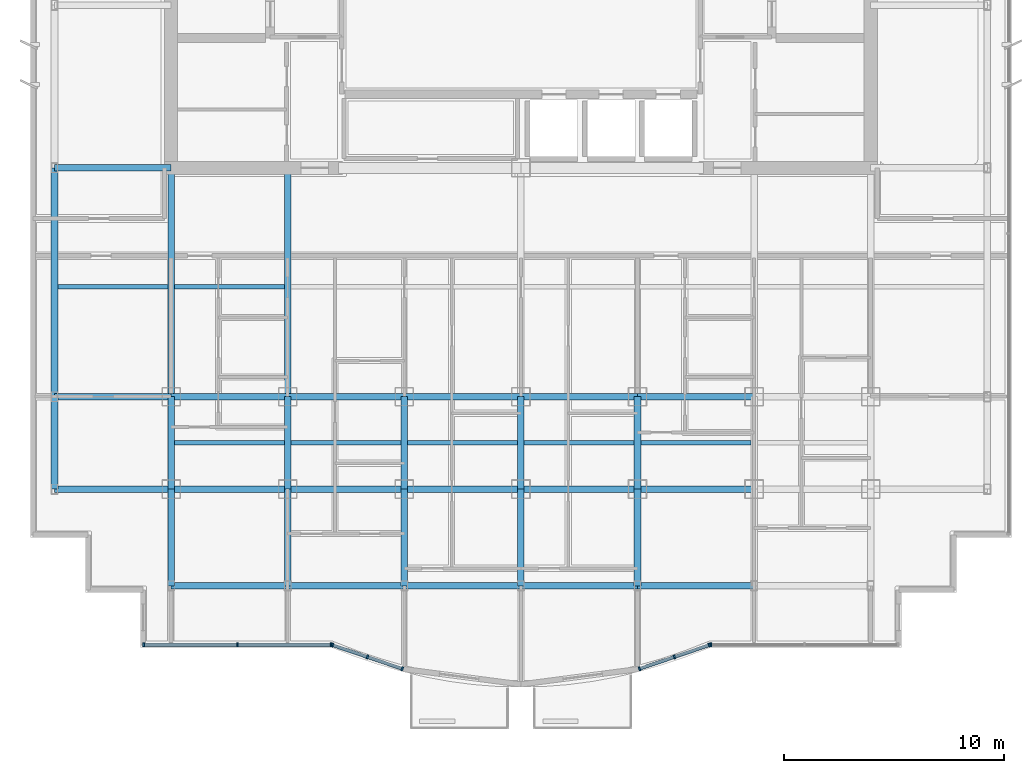
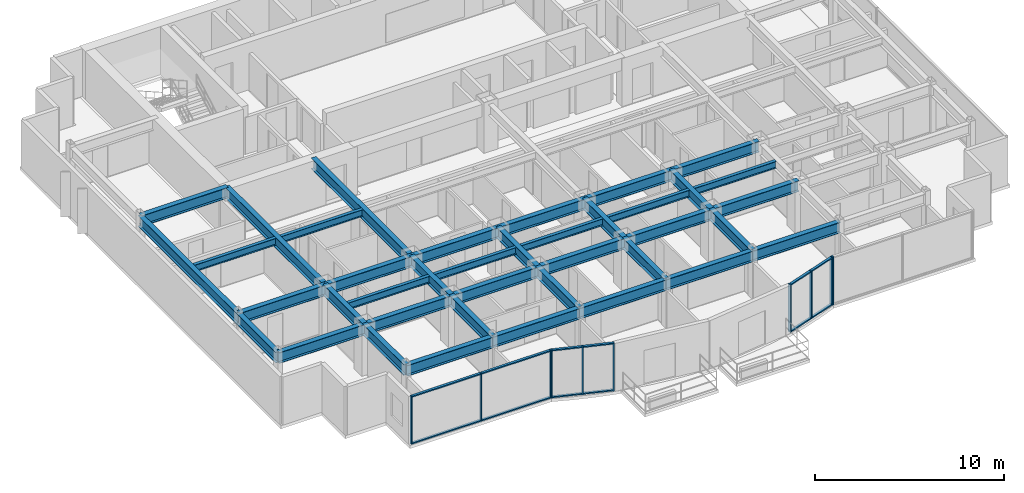
# One storey, part 2 of 13: 39 beams, 22 members, 4 elements without a shape of their own.
"""IFC4 building model written with IfcOpenShell, lengths in metres."""

from ifc_helpers import new_model, si_unit, direction, frame, origin, origin_2d, place, context, subcontext, project, spatial, rectangle, i_section, extrude, source, transform, mapped, material, layer, layer_set, material_profile, profile_set, type_object, element, aggregate, save


model = new_model("IFC4")

# Units and contexts
model_context = context("Model", 3, precision=1e-05, world=origin(), true_north=direction((0.0, 1.0)))
body_context = subcontext(model_context, "Body", "Model", "MODEL_VIEW")
ifc_project = project(units=[si_unit("LENGTHUNIT", "METRE"), si_unit("AREAUNIT", "SQUARE_METRE"), si_unit("VOLUMEUNIT", "CUBIC_METRE"), si_unit("PLANEANGLEUNIT", "RADIAN"), si_unit("MASSUNIT", "GRAM", prefix="KILO")], contexts=[model_context])

# Site, building, storey
site_placement = place(None, origin())
site = spatial("IfcSite", under=ifc_project, at=site_placement, CompositionType="ELEMENT")
building_placement = place(site_placement, origin())
building = spatial("IfcBuilding", under=site, at=building_placement, Name="Qianlan Lanfeng Residences", CompositionType="ELEMENT")
storey_placement = place(building_placement, frame((0.0, 0.0, 178.800048828125)))
storey = spatial("IfcBuildingStorey", under=building, at=storey_placement, Name="L49", CompositionType="ELEMENT", Elevation=178.800048828125)

# Beams
ifc_material_1 = material(Name="Steel SN490B", Category="steel")
ifc_material_profile_1 = material_profile(ifc_material_1, i_section(OverallWidth=0.300048828125, OverallDepth=0.699951171875, WebThickness=0.012939453125, FlangeThickness=0.02392578125, at=origin_2d()), Name="H 700x300x13x24")
ifc_profile_set_1 = profile_set([ifc_material_profile_1], Name="Steel SN490B")
beam_type_1 = type_object("IfcBeamType", Name="G-750", PredefinedType="BEAM", material=ifc_profile_set_1)
beam_1_placement = place(storey_placement, frame((5.300048828125, 10.60009765625, 2.75), z_axis=(1.0, 0.0, 0.0), x_axis=(0.0, 1.0, 0.0)))
element("IfcBeam", 1, at=beam_1_placement, inside=storey, type_object=beam_type_1, Name="Structural beam G-750", PredefinedType="BEAM", context=body_context, shape_type="SweptSolid", body=[
    extrude(i_section(OverallWidth=0.300048828125, OverallDepth=0.699951171875, WebThickness=0.012939453125, FlangeThickness=0.02392578125, at=origin_2d()), origin(), (0.0, 0.0, 1.0), 5.300048828125),
])
beam_2_placement = place(storey_placement, frame((10.60009765625, 10.60009765625, 2.75), z_axis=(1.0, 0.0, 0.0), x_axis=(0.0, 1.0, 0.0)))
element("IfcBeam", 2, at=beam_2_placement, inside=storey, type_object=beam_type_1, Name="Structural beam G-750", PredefinedType="BEAM", context=body_context, shape_type="SweptSolid", body=[
    extrude(i_section(OverallWidth=0.300048828125, OverallDepth=0.699951171875, WebThickness=0.012939453125, FlangeThickness=0.02392578125, at=origin_2d()), origin(), (0.0, 0.0, 1.0), 5.2998046875),
])
for number, where, z_axis, x_axis, name in (
    (3, (15.89990234375, 10.60009765625, 2.75), (1.0, 0.0, 0.0), (0.0, 1.0, 0.0), "Structural beam G-750"),
    (4, (21.199951171875, 10.60009765625, 2.75), (1.0, 0.0, 0.0), (0.0, 1.0, 0.0), "Structural beam G-750"),
    (5, (26.5, 10.60009765625, 2.75), (1.0, 0.0, 0.0), (0.0, 1.0, 0.0), "Structural beam G-750"),
    (6, (31.800048828125, 10.60009765625, 2.75), (1.0, 0.0, 0.0), (0.0, 1.0, 0.0), "Structural beam G-750"),
    (7, (5.300048828125, 14.800048828125, 2.75), (1.0, 0.0, 0.0), (0.0, 1.0, 0.0), "Structural beam G-750"),
):
    element("IfcBeam", number, at=place(storey_placement, frame(where, z_axis=z_axis, x_axis=x_axis)), inside=storey, type_object=beam_type_1, Name=name, PredefinedType="BEAM", context=body_context, shape_type="SweptSolid", body=[
        extrude(i_section(OverallWidth=0.300048828125, OverallDepth=0.699951171875, WebThickness=0.012939453125, FlangeThickness=0.02392578125, at=origin_2d()), origin(), (0.0, 0.0, 1.0), 5.300048828125),
    ])
beam_3_placement = place(storey_placement, frame((10.60009765625, 14.800048828125, 2.75), z_axis=(1.0, 0.0, 0.0), x_axis=(0.0, 1.0, 0.0)))
element("IfcBeam", 8, at=beam_3_placement, inside=storey, type_object=beam_type_1, Name="Structural beam G-750", PredefinedType="BEAM", context=body_context, shape_type="SweptSolid", body=[
    extrude(i_section(OverallWidth=0.300048828125, OverallDepth=0.699951171875, WebThickness=0.012939453125, FlangeThickness=0.02392578125, at=origin_2d()), origin(), (0.0, 0.0, 1.0), 5.2998046875),
])
for number, where, z_axis, x_axis, name in (
    (9, (15.89990234375, 14.800048828125, 2.75), (1.0, 0.0, 0.0), (0.0, 1.0, 0.0), "Structural beam G-750"),
    (10, (21.199951171875, 14.800048828125, 2.75), (1.0, 0.0, 0.0), (0.0, 1.0, 0.0), "Structural beam G-750"),
    (11, (26.5, 14.800048828125, 2.75), (1.0, 0.0, 0.0), (0.0, 1.0, 0.0), "Structural beam G-750"),
    (12, (31.800048828125, 14.800048828125, 2.75), (1.0, 0.0, 0.0), (0.0, 1.0, 0.0), "Structural beam G-750"),
    (13, (5.300048828125, 25.199951171875, 2.75), (1.0, 0.0, 0.0), (0.0, 1.0, 0.0), "Structural beam G-750"),
):
    element("IfcBeam", number, at=place(storey_placement, frame(where, z_axis=z_axis, x_axis=x_axis)), inside=storey, type_object=beam_type_1, Name=name, PredefinedType="BEAM", context=body_context, shape_type="SweptSolid", body=[
        extrude(i_section(OverallWidth=0.300048828125, OverallDepth=0.699951171875, WebThickness=0.012939453125, FlangeThickness=0.02392578125, at=origin_2d()), origin(), (0.0, 0.0, 1.0), 5.300048828125),
    ])
beam_4_placement = place(storey_placement, frame((10.60009765625, 6.199951171875, 2.75), z_axis=(0.0, 1.0, 0.0), x_axis=(-1.0, 0.0, 0.0)))
element("IfcBeam", 14, at=beam_4_placement, inside=storey, type_object=beam_type_1, Name="Structural beam G-750", PredefinedType="BEAM", context=body_context, shape_type="SweptSolid", body=[
    extrude(i_section(OverallWidth=0.300048828125, OverallDepth=0.699951171875, WebThickness=0.012939453125, FlangeThickness=0.02392578125, at=origin_2d()), origin(), (0.0, 0.0, 1.0), 4.400146484375),
])
beam_5_placement = place(storey_placement, frame((10.60009765625, 10.60009765625, 2.75), z_axis=(0.0, 1.0, 0.0), x_axis=(-1.0, 0.0, 0.0)))
element("IfcBeam", 15, at=beam_5_placement, inside=storey, type_object=beam_type_1, Name="Structural beam G-750", PredefinedType="BEAM", context=body_context, shape_type="SweptSolid", body=[
    extrude(i_section(OverallWidth=0.300048828125, OverallDepth=0.699951171875, WebThickness=0.012939453125, FlangeThickness=0.02392578125, at=origin_2d()), origin(), (0.0, 0.0, 1.0), 4.199951171875),
])
beam_6_placement = place(storey_placement, frame((10.60009765625, 14.800048828125, 2.75), z_axis=(0.0, 1.0, 0.0), x_axis=(-1.0, 0.0, 0.0)))
element("IfcBeam", 16, at=beam_6_placement, inside=storey, type_object=beam_type_1, Name="Structural beam G-750", PredefinedType="BEAM", context=body_context, shape_type="SweptSolid", body=[
    extrude(i_section(OverallWidth=0.300048828125, OverallDepth=0.699951171875, WebThickness=0.012939453125, FlangeThickness=0.02392578125, at=origin_2d()), origin(), (0.0, 0.0, 1.0), 10.39990234375),
])
beam_7_placement = place(storey_placement, frame((15.89990234375, 6.199951171875, 2.75), z_axis=(0.0, 1.0, 0.0), x_axis=(-1.0, 0.0, 0.0)))
element("IfcBeam", 17, at=beam_7_placement, inside=storey, type_object=beam_type_1, Name="Structural beam G-750", PredefinedType="BEAM", context=body_context, shape_type="SweptSolid", body=[
    extrude(i_section(OverallWidth=0.300048828125, OverallDepth=0.699951171875, WebThickness=0.012939453125, FlangeThickness=0.02392578125, at=origin_2d()), origin(), (0.0, 0.0, 1.0), 4.400146484375),
])
beam_8_placement = place(storey_placement, frame((15.89990234375, 10.60009765625, 2.75), z_axis=(0.0, 1.0, 0.0), x_axis=(-1.0, 0.0, 0.0)))
element("IfcBeam", 18, at=beam_8_placement, inside=storey, type_object=beam_type_1, Name="Structural beam G-750", PredefinedType="BEAM", context=body_context, shape_type="SweptSolid", body=[
    extrude(i_section(OverallWidth=0.300048828125, OverallDepth=0.699951171875, WebThickness=0.012939453125, FlangeThickness=0.02392578125, at=origin_2d()), origin(), (0.0, 0.0, 1.0), 4.199951171875),
])
beam_9_placement = place(storey_placement, frame((15.89990234375, 14.800048828125, 2.75), z_axis=(0.0, 1.0, 0.0), x_axis=(-1.0, 0.0, 0.0)))
element("IfcBeam", 19, at=beam_9_placement, inside=storey, type_object=beam_type_1, Name="Structural beam G-750", PredefinedType="BEAM", context=body_context, shape_type="SweptSolid", body=[
    extrude(i_section(OverallWidth=0.300048828125, OverallDepth=0.699951171875, WebThickness=0.012939453125, FlangeThickness=0.02392578125, at=origin_2d()), origin(), (0.0, 0.0, 1.0), 10.39990234375),
])
beam_10_placement = place(storey_placement, frame((21.199951171875, 6.199951171875, 2.75), z_axis=(0.0, 1.0, 0.0), x_axis=(-1.0, 0.0, 0.0)))
element("IfcBeam", 20, at=beam_10_placement, inside=storey, type_object=beam_type_1, Name="Structural beam G-750", PredefinedType="BEAM", context=body_context, shape_type="SweptSolid", body=[
    extrude(i_section(OverallWidth=0.300048828125, OverallDepth=0.699951171875, WebThickness=0.012939453125, FlangeThickness=0.02392578125, at=origin_2d()), origin(), (0.0, 0.0, 1.0), 4.400146484375),
])
beam_11_placement = place(storey_placement, frame((21.199951171875, 10.60009765625, 2.75), z_axis=(0.0, 1.0, 0.0), x_axis=(-1.0, 0.0, 0.0)))
element("IfcBeam", 21, at=beam_11_placement, inside=storey, type_object=beam_type_1, Name="Structural beam G-750", PredefinedType="BEAM", context=body_context, shape_type="SweptSolid", body=[
    extrude(i_section(OverallWidth=0.300048828125, OverallDepth=0.699951171875, WebThickness=0.012939453125, FlangeThickness=0.02392578125, at=origin_2d()), origin(), (0.0, 0.0, 1.0), 4.199951171875),
])
beam_12_placement = place(storey_placement, frame((26.5, 6.199951171875, 2.75), z_axis=(0.0, 1.0, 0.0), x_axis=(-1.0, 0.0, 0.0)))
element("IfcBeam", 22, at=beam_12_placement, inside=storey, type_object=beam_type_1, Name="Structural beam G-750", PredefinedType="BEAM", context=body_context, shape_type="SweptSolid", body=[
    extrude(i_section(OverallWidth=0.300048828125, OverallDepth=0.699951171875, WebThickness=0.012939453125, FlangeThickness=0.02392578125, at=origin_2d()), origin(), (0.0, 0.0, 1.0), 4.400146484375),
])
beam_13_placement = place(storey_placement, frame((26.5, 10.60009765625, 2.75), z_axis=(0.0, 1.0, 0.0), x_axis=(-1.0, 0.0, 0.0)))
element("IfcBeam", 23, at=beam_13_placement, inside=storey, type_object=beam_type_1, Name="Structural beam G-750", PredefinedType="BEAM", context=body_context, shape_type="SweptSolid", body=[
    extrude(i_section(OverallWidth=0.300048828125, OverallDepth=0.699951171875, WebThickness=0.012939453125, FlangeThickness=0.02392578125, at=origin_2d()), origin(), (0.0, 0.0, 1.0), 4.199951171875),
])
beam_14_placement = place(storey_placement, frame((31.800048828125, 6.199951171875, 2.75), z_axis=(0.0, 1.0, 0.0), x_axis=(-1.0, 0.0, 0.0)))
element("IfcBeam", 24, at=beam_14_placement, inside=storey, type_object=beam_type_1, Name="Structural beam G-750", PredefinedType="BEAM", context=body_context, shape_type="SweptSolid", body=[
    extrude(i_section(OverallWidth=0.300048828125, OverallDepth=0.699951171875, WebThickness=0.012939453125, FlangeThickness=0.02392578125, at=origin_2d()), origin(), (0.0, 0.0, 1.0), 4.400146484375),
])
beam_15_placement = place(storey_placement, frame((31.800048828125, 10.60009765625, 2.75), z_axis=(0.0, 1.0, 0.0), x_axis=(-1.0, 0.0, 0.0)))
element("IfcBeam", 25, at=beam_15_placement, inside=storey, type_object=beam_type_1, Name="Structural beam G-750", PredefinedType="BEAM", context=body_context, shape_type="SweptSolid", body=[
    extrude(i_section(OverallWidth=0.300048828125, OverallDepth=0.699951171875, WebThickness=0.012939453125, FlangeThickness=0.02392578125, at=origin_2d()), origin(), (0.0, 0.0, 1.0), 4.199951171875),
])
ifc_material_profile_2 = material_profile(ifc_material_1, i_section(OverallWidth=0.199951171875, OverallDepth=0.449951171875, WebThickness=0.009033203125, FlangeThickness=0.013916015625, at=origin_2d()), Name="H 450x200x9x14")
ifc_profile_set_2 = profile_set([ifc_material_profile_2], Name="Steel SN490B")
beam_type_2 = type_object("IfcBeamType", Name="J-450", PredefinedType="JOIST", material=ifc_profile_set_2)
for number, where, z_axis, x_axis, name in (
    (26, (10.75, 12.699951171875, 2.875), (1.0, 0.0, 0.0), (0.0, 1.0, 0.0), "Structural beam J-450"),
    (27, (16.050048828125, 12.699951171875, 2.875), (1.0, 0.0, 0.0), (0.0, 1.0, 0.0), "Structural beam J-450"),
    (28, (21.35009765625, 12.699951171875, 2.875), (1.0, 0.0, 0.0), (0.0, 1.0, 0.0), "Structural beam J-450"),
    (29, (26.64990234375, 12.699951171875, 2.875), (1.0, 0.0, 0.0), (0.0, 1.0, 0.0), "Structural beam J-450"),
    (30, (31.949951171875, 12.699951171875, 2.875), (1.0, 0.0, 0.0), (0.0, 1.0, 0.0), "Structural beam J-450"),
    (31, (5.449951171875, 19.800048828125, 2.875), (1.0, 0.0, 0.0), (0.0, 1.0, 0.0), "Structural beam J-450"),
    (32, (10.75, 19.800048828125, 2.875), (1.0, 0.0, 0.0), (0.0, 1.0, 0.0), "Structural beam J-450"),
):
    element("IfcBeam", number, at=place(storey_placement, frame(where, z_axis=z_axis, x_axis=x_axis)), inside=storey, type_object=beam_type_2, Name=name, PredefinedType="JOIST", context=body_context, shape_type="SweptSolid", body=[
        extrude(i_section(OverallWidth=0.199951171875, OverallDepth=0.449951171875, WebThickness=0.009033203125, FlangeThickness=0.013916015625, at=origin_2d()), origin(), (0.0, 0.0, 1.0), 5.0),
    ])
ifc_material_profile_3 = material_profile(ifc_material_1, i_section(OverallWidth=0.300048828125, OverallDepth=0.699951171875, WebThickness=0.012939453125, FlangeThickness=0.02392578125, at=origin_2d()), Name="H 700x300x13x24")
ifc_profile_set_3 = profile_set([ifc_material_profile_3], Name="Steel SN490B")
beam_type_3 = type_object("IfcBeamType", Name="SG-750", PredefinedType="SPANDREL", material=ifc_profile_set_3)
beam_16_placement = place(storey_placement, frame((10.60009765625, 6.199951171875, 2.739990234375), z_axis=(1.0, 0.0, 0.0), x_axis=(0.0, 1.0, 0.0)))
element("IfcBeam", 33, at=beam_16_placement, inside=storey, type_object=beam_type_3, Name="Structural beam SG-750", PredefinedType="SPANDREL", context=body_context, shape_type="SweptSolid", body=[
    extrude(i_section(OverallWidth=0.300048828125, OverallDepth=0.699951171875, WebThickness=0.012939453125, FlangeThickness=0.02392578125, at=origin_2d()), origin(), (0.0, 0.0, 1.0), 5.2998046875),
])
for number, where, z_axis, x_axis, name in (
    (34, (15.89990234375, 6.199951171875, 2.739990234375), (1.0, 0.0, 0.0), (0.0, 1.0, 0.0), "Structural beam SG-750"),
    (35, (21.199951171875, 6.199951171875, 2.739990234375), (1.0, 0.0, 0.0), (0.0, 1.0, 0.0), "Structural beam SG-750"),
    (36, (26.5, 6.199951171875, 2.739990234375), (1.0, 0.0, 0.0), (0.0, 1.0, 0.0), "Structural beam SG-750"),
    (37, (31.800048828125, 6.199951171875, 2.739990234375), (1.0, 0.0, 0.0), (0.0, 1.0, 0.0), "Structural beam SG-750"),
):
    element("IfcBeam", number, at=place(storey_placement, frame(where, z_axis=z_axis, x_axis=x_axis)), inside=storey, type_object=beam_type_3, Name=name, PredefinedType="SPANDREL", context=body_context, shape_type="SweptSolid", body=[
        extrude(i_section(OverallWidth=0.300048828125, OverallDepth=0.699951171875, WebThickness=0.012939453125, FlangeThickness=0.02392578125, at=origin_2d()), origin(), (0.0, 0.0, 1.0), 5.300048828125),
    ])
beam_17_placement = place(storey_placement, frame((5.300048828125, 10.60009765625, 2.739990234375), z_axis=(0.0, 1.0, 0.0), x_axis=(-1.0, 0.0, 0.0)))
element("IfcBeam", 38, at=beam_17_placement, inside=storey, type_object=beam_type_3, Name="Structural beam SG-750", PredefinedType="SPANDREL", context=body_context, shape_type="SweptSolid", body=[
    extrude(i_section(OverallWidth=0.300048828125, OverallDepth=0.699951171875, WebThickness=0.012939453125, FlangeThickness=0.02392578125, at=origin_2d()), origin(), (0.0, 0.0, 1.0), 4.199951171875),
])
beam_18_placement = place(storey_placement, frame((5.300048828125, 14.800048828125, 2.739990234375), z_axis=(0.0, 1.0, 0.0), x_axis=(-1.0, 0.0, 0.0)))
element("IfcBeam", 39, at=beam_18_placement, inside=storey, type_object=beam_type_3, Name="Structural beam SG-750", PredefinedType="SPANDREL", context=body_context, shape_type="SweptSolid", body=[
    extrude(i_section(OverallWidth=0.300048828125, OverallDepth=0.699951171875, WebThickness=0.012939453125, FlangeThickness=0.02392578125, at=origin_2d()), origin(), (0.0, 0.0, 1.0), 10.39990234375),
])

# Curtain wall, members
ifc_material_2 = material(Name="Anodised Bronze Aluminium 6063-T6", Category="aluminium")
ifc_layer = layer(ifc_material_2, 0.219970703125)
ifc_layer_set = layer_set([ifc_layer], Name="Anodised Bronze Aluminium 6063-T6")
curtain_wall_type = type_object("IfcCurtainWallType", Name="CW-04", PredefinedType="NOTDEFINED", material=ifc_layer_set)
curtain_wall_1_placement = place(storey_placement, origin())
curtain_wall_1 = element("IfcCurtainWall", 40, at=curtain_wall_1_placement, inside=storey, type_object=curtain_wall_type, Name="L49 Unitised Curtain Wall CWR-L49-01 (CW-04)", PredefinedType="NOTDEFINED")
ifc_material_profile_4 = material_profile(ifc_material_2, rectangle(XDim=0.074951171875, YDim=0.14990234375, at=origin_2d()), Name="ALU TRANSOM 75x150")
ifc_profile_set_4 = profile_set([ifc_material_profile_4], Name="Anodised Bronze Aluminium 6063-T6")
member_type_1 = type_object("IfcMemberType", Name="CWT-150", PredefinedType="USERDEFINED", material=ifc_profile_set_4)
shared_shape_1 = source(origin(), body_context, "Body", "SweptSolid", [
    extrude(rectangle(XDim=0.074951171875, YDim=0.14990234375, at=origin_2d()), origin(), (0.0, 0.0, 1.0), 4.178955078125),
])
member_1_placement = place(storey_placement, frame((9.39501953125, 3.52001953125, 0.037353515625), z_axis=(1.0, 0.0, 0.0), x_axis=(0.0, 0.0, 1.0)))
member_1 = element("IfcMember", 41, at=member_1_placement, type_object=member_type_1, Name="CWR-L49-01 Transom 1-BOT", ObjectType="TRANSOM", PredefinedType="USERDEFINED", context=body_context, shape_type="MappedRepresentation", body=[
    mapped(shared_shape_1, transform((0.0, 0.0, 0.0), scale=1.0)),
])
member_2_placement = place(storey_placement, frame((9.39501953125, 3.52001953125, 3.0625), z_axis=(1.0, 0.0, 0.0), x_axis=(0.0, 0.0, 1.0)))
member_2 = element("IfcMember", 42, at=member_2_placement, type_object=member_type_1, Name="CWR-L49-01 Transom 1-TOP", ObjectType="TRANSOM", PredefinedType="USERDEFINED", context=body_context, shape_type="MappedRepresentation", body=[
    mapped(shared_shape_1, transform((0.0, 0.0, 0.0), scale=1.0)),
])
member_3_placement = place(storey_placement, frame((13.64892578125, 3.52001953125, 0.037353515625), z_axis=(1.0, 0.0, 0.0), x_axis=(0.0, 0.0, 1.0)))
member_3 = element("IfcMember", 43, at=member_3_placement, type_object=member_type_1, Name="CWR-L49-01 Transom 2-BOT", ObjectType="TRANSOM", PredefinedType="USERDEFINED", context=body_context, shape_type="MappedRepresentation", body=[
    mapped(shared_shape_1, transform((0.0, 0.0, 0.0), scale=1.0)),
])
member_4_placement = place(storey_placement, frame((13.64892578125, 3.52001953125, 3.0625), z_axis=(1.0, 0.0, 0.0), x_axis=(0.0, 0.0, 1.0)))
member_4 = element("IfcMember", 44, at=member_4_placement, type_object=member_type_1, Name="CWR-L49-01 Transom 2-TOP", ObjectType="TRANSOM", PredefinedType="USERDEFINED", context=body_context, shape_type="MappedRepresentation", body=[
    mapped(shared_shape_1, transform((0.0, 0.0, 0.0), scale=1.0)),
])

curtain_wall_2_placement = place(storey_placement, origin())
curtain_wall_2 = element("IfcCurtainWall", 45, at=curtain_wall_2_placement, inside=storey, type_object=curtain_wall_type, Name="L49 Unitised Curtain Wall CWR-L49-02 (CW-04)", PredefinedType="NOTDEFINED")
shared_shape_2 = source(origin(), body_context, "Body", "SweptSolid", [
    extrude(rectangle(XDim=0.074951171875, YDim=0.14990234375, at=origin_2d()), origin(), (0.0, 0.0, 1.0), 1.597900390625),
])
member_5_placement = place(storey_placement, frame((17.97412109375, 3.495849609375, 0.037353515625), z_axis=(0.946818368584, -0.321768514481, 0.0), x_axis=(0.0, 0.0, 1.0)))
member_5 = element("IfcMember", 46, at=member_5_placement, type_object=member_type_1, Name="CWR-L49-02 Transom 1-BOT", ObjectType="TRANSOM", PredefinedType="USERDEFINED", context=body_context, shape_type="MappedRepresentation", body=[
    mapped(shared_shape_2, transform((0.0, 0.0, 0.0), scale=1.0)),
])
member_6_placement = place(storey_placement, frame((17.97412109375, 3.495849609375, 3.0625), z_axis=(0.946818368584, -0.321768514481, 0.0), x_axis=(0.0, 0.0, 1.0)))
member_6 = element("IfcMember", 47, at=member_6_placement, type_object=member_type_1, Name="CWR-L49-02 Transom 1-TOP", ObjectType="TRANSOM", PredefinedType="USERDEFINED", context=body_context, shape_type="MappedRepresentation", body=[
    mapped(shared_shape_2, transform((0.0, 0.0, 0.0), scale=1.0)),
])
member_7_placement = place(storey_placement, frame((19.55810546875, 2.95751953125, 0.037353515625), z_axis=(0.94677181357, -0.321905472195, 0.0), x_axis=(0.0, 0.0, 1.0)))
member_7 = element("IfcMember", 48, at=member_7_placement, type_object=member_type_1, Name="CWR-L49-02 Transom 2-BOT", ObjectType="TRANSOM", PredefinedType="USERDEFINED", context=body_context, shape_type="MappedRepresentation", body=[
    mapped(shared_shape_2, transform((0.0, 0.0, 0.0), scale=1.0)),
])
member_8_placement = place(storey_placement, frame((19.55810546875, 2.95751953125, 3.0625), z_axis=(0.94677181357, -0.321905472195, 0.0), x_axis=(0.0, 0.0, 1.0)))
member_8 = element("IfcMember", 49, at=member_8_placement, type_object=member_type_1, Name="CWR-L49-02 Transom 2-TOP", ObjectType="TRANSOM", PredefinedType="USERDEFINED", context=body_context, shape_type="MappedRepresentation", body=[
    mapped(shared_shape_2, transform((0.0, 0.0, 0.0), scale=1.0)),
])

curtain_wall_3_placement = place(storey_placement, origin())
curtain_wall_3 = element("IfcCurtainWall", 50, at=curtain_wall_3_placement, inside=storey, type_object=curtain_wall_type, Name="L49 Unitised Curtain Wall CWR-L49-03 (CW-04)", PredefinedType="NOTDEFINED")
shared_shape_3 = source(origin(), body_context, "Body", "SweptSolid", [
    extrude(rectangle(XDim=0.074951171875, YDim=0.14990234375, at=origin_2d()), origin(), (0.0, 0.0, 1.0), 1.598388671875),
])
member_9_placement = place(storey_placement, frame((31.927978515625, 2.443115234375, 0.037353515625), z_axis=(0.946803462724, 0.321812372312, 0.0), x_axis=(0.0, 0.0, 1.0)))
member_9 = element("IfcMember", 51, at=member_9_placement, type_object=member_type_1, Name="CWR-L49-03 Transom 1-BOT", ObjectType="TRANSOM", PredefinedType="USERDEFINED", context=body_context, shape_type="MappedRepresentation", body=[
    mapped(shared_shape_3, transform((0.0, 0.0, 0.0), scale=1.0)),
])
member_10_placement = place(storey_placement, frame((31.927978515625, 2.443115234375, 3.0625), z_axis=(0.946803462724, 0.321812372312, 0.0), x_axis=(0.0, 0.0, 1.0)))
member_10 = element("IfcMember", 52, at=member_10_placement, type_object=member_type_1, Name="CWR-L49-03 Transom 1-TOP", ObjectType="TRANSOM", PredefinedType="USERDEFINED", context=body_context, shape_type="MappedRepresentation", body=[
    mapped(shared_shape_3, transform((0.0, 0.0, 0.0), scale=1.0)),
])
member_11_placement = place(storey_placement, frame((33.512451171875, 2.981689453125, 0.037353515625), z_axis=(0.946849992367, 0.32167544506, 0.0), x_axis=(0.0, 0.0, 1.0)))
member_11 = element("IfcMember", 53, at=member_11_placement, type_object=member_type_1, Name="CWR-L49-03 Transom 2-BOT", ObjectType="TRANSOM", PredefinedType="USERDEFINED", context=body_context, shape_type="MappedRepresentation", body=[
    mapped(shared_shape_3, transform((0.0, 0.0, 0.0), scale=1.0)),
])
member_12_placement = place(storey_placement, frame((33.512451171875, 2.981689453125, 3.0625), z_axis=(0.946849992367, 0.32167544506, 0.0), x_axis=(0.0, 0.0, 1.0)))
member_12 = element("IfcMember", 54, at=member_12_placement, type_object=member_type_1, Name="CWR-L49-03 Transom 2-TOP", ObjectType="TRANSOM", PredefinedType="USERDEFINED", context=body_context, shape_type="MappedRepresentation", body=[
    mapped(shared_shape_3, transform((0.0, 0.0, 0.0), scale=1.0)),
])

# Member
ifc_material_profile_5 = material_profile(ifc_material_2, rectangle(XDim=0.074951171875, YDim=0.179931640625, at=origin_2d()), Name="ALU MULLION 75x180")
ifc_profile_set_5 = profile_set([ifc_material_profile_5], Name="Anodised Bronze Aluminium 6063-T6")
member_type_2 = type_object("IfcMemberType", Name="CWM-180", PredefinedType="MULLION", material=ifc_profile_set_5)
shared_shape_4 = source(origin(), body_context, "Body", "SweptSolid", [
    extrude(rectangle(XDim=0.074951171875, YDim=0.179931640625, at=origin_2d()), origin(), (0.0, 0.0, 1.0), 3.099853515625),
])
member_13_placement = place(storey_placement, frame((9.357421875, 3.52001953125, 0.0), z_axis=(0.0, 0.0, 1.0), x_axis=(1.0, 0.0, 0.0)))
member_13 = element("IfcMember", 55, at=member_13_placement, type_object=member_type_2, Name="CWR-L49-01 Mullion 1", PredefinedType="MULLION", context=body_context, shape_type="MappedRepresentation", body=[
    mapped(shared_shape_4, transform((0.0, 0.0, 0.0), scale=1.0)),
])

member_14_placement = place(storey_placement, frame((13.611572265625, 3.52001953125, 0.0), z_axis=(0.0, 0.0, 1.0), x_axis=(1.0, 0.0, 0.0)))
member_14 = element("IfcMember", 56, at=member_14_placement, type_object=member_type_2, Name="CWR-L49-01 Mullion 2", PredefinedType="MULLION", context=body_context, shape_type="MappedRepresentation", body=[
    mapped(shared_shape_4, transform((0.0, 0.0, 0.0), scale=1.0)),
])

member_15_placement = place(storey_placement, frame((17.865478515625, 3.52001953125, 0.0), z_axis=(0.0, 0.0, 1.0), x_axis=(1.0, 0.0, 0.0)))
member_15 = element("IfcMember", 57, at=member_15_placement, type_object=member_type_2, Name="CWR-L49-01 Mullion 3", PredefinedType="MULLION", context=body_context, shape_type="MappedRepresentation", body=[
    mapped(shared_shape_4, transform((0.0, 0.0, 0.0), scale=1.0)),
])

aggregate(curtain_wall_1, [member_13, member_14, member_15, member_1, member_2, member_3, member_4])

member_16_placement = place(storey_placement, frame((17.9384765625, 3.5078125, 0.0), z_axis=(0.0, 0.0, 1.0), x_axis=(0.946795963885, -0.321834433787, 0.0)))
member_16 = element("IfcMember", 58, at=member_16_placement, type_object=member_type_2, Name="CWR-L49-02 Mullion 1", PredefinedType="MULLION", context=body_context, shape_type="MappedRepresentation", body=[
    mapped(shared_shape_4, transform((0.0, 0.0, 0.0), scale=1.0)),
])

member_17_placement = place(storey_placement, frame((19.5224609375, 2.969482421875, 0.0), z_axis=(0.0, 0.0, 1.0), x_axis=(0.946795963885, -0.321834433787, 0.0)))
member_17 = element("IfcMember", 59, at=member_17_placement, type_object=member_type_2, Name="CWR-L49-02 Mullion 2", PredefinedType="MULLION", context=body_context, shape_type="MappedRepresentation", body=[
    mapped(shared_shape_4, transform((0.0, 0.0, 0.0), scale=1.0)),
])

member_18_placement = place(storey_placement, frame((21.1064453125, 2.43115234375, 0.0), z_axis=(0.0, 0.0, 1.0), x_axis=(0.946795963885, -0.321834433787, 0.0)))
member_18 = element("IfcMember", 60, at=member_18_placement, type_object=member_type_2, Name="CWR-L49-02 Mullion 3", PredefinedType="MULLION", context=body_context, shape_type="MappedRepresentation", body=[
    mapped(shared_shape_4, transform((0.0, 0.0, 0.0), scale=1.0)),
])

aggregate(curtain_wall_2, [member_16, member_17, member_18, member_5, member_6, member_7, member_8])

member_19_placement = place(storey_placement, frame((31.892578125, 2.43115234375, 0.0), z_axis=(0.0, 0.0, 1.0), x_axis=(0.946826291861, 0.32174519894, 0.0)))
member_19 = element("IfcMember", 61, at=member_19_placement, type_object=member_type_2, Name="CWR-L49-03 Mullion 1", PredefinedType="MULLION", context=body_context, shape_type="MappedRepresentation", body=[
    mapped(shared_shape_4, transform((0.0, 0.0, 0.0), scale=1.0)),
])

member_20_placement = place(storey_placement, frame((33.47705078125, 2.969482421875, 0.0), z_axis=(0.0, 0.0, 1.0), x_axis=(0.946826291861, 0.32174519894, 0.0)))
member_20 = element("IfcMember", 62, at=member_20_placement, type_object=member_type_2, Name="CWR-L49-03 Mullion 2", PredefinedType="MULLION", context=body_context, shape_type="MappedRepresentation", body=[
    mapped(shared_shape_4, transform((0.0, 0.0, 0.0), scale=1.0)),
])

member_21_placement = place(storey_placement, frame((35.0615234375, 3.5078125, 0.0), z_axis=(0.0, 0.0, 1.0), x_axis=(0.946826291861, 0.32174519894, 0.0)))
member_21 = element("IfcMember", 63, at=member_21_placement, type_object=member_type_2, Name="CWR-L49-03 Mullion 3", PredefinedType="MULLION", context=body_context, shape_type="MappedRepresentation", body=[
    mapped(shared_shape_4, transform((0.0, 0.0, 0.0), scale=1.0)),
])

aggregate(curtain_wall_3, [member_19, member_20, member_21, member_9, member_10, member_11, member_12])

# Curtain wall, member
curtain_wall_4_placement = place(storey_placement, origin())
curtain_wall_4 = element("IfcCurtainWall", 64, at=curtain_wall_4_placement, inside=storey, type_object=curtain_wall_type, Name="L49 Unitised Curtain Wall CWR-L49-04 (CW-04)", PredefinedType="NOTDEFINED")
member_22_placement = place(storey_placement, frame((35.134521484375, 3.52001953125, 0.0), z_axis=(0.0, 0.0, 1.0), x_axis=(1.0, 0.0, 0.0)))
member_22 = element("IfcMember", 65, at=member_22_placement, type_object=member_type_2, Name="CWR-L49-04 Mullion 1", PredefinedType="MULLION", context=body_context, shape_type="MappedRepresentation", body=[
    mapped(shared_shape_4, transform((0.0, 0.0, 0.0), scale=1.0)),
])
aggregate(curtain_wall_4, [member_22])

save(model, "model.ifc")
